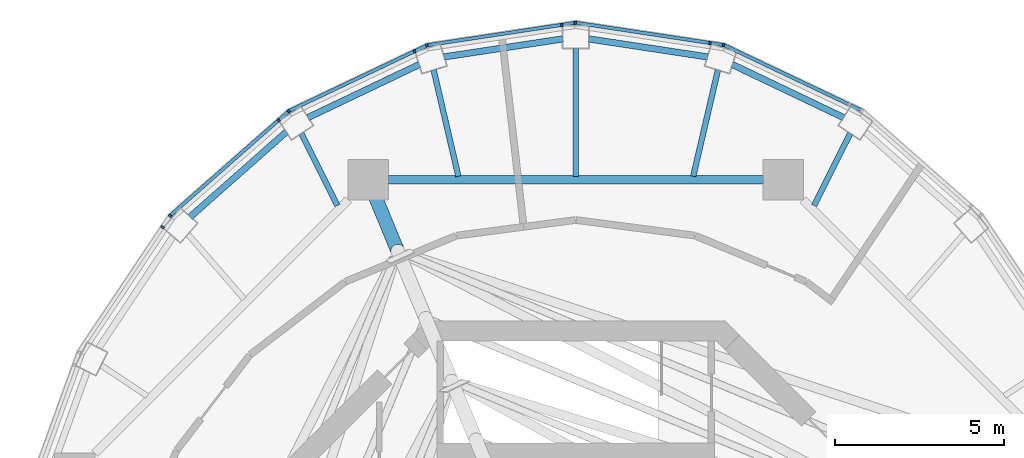
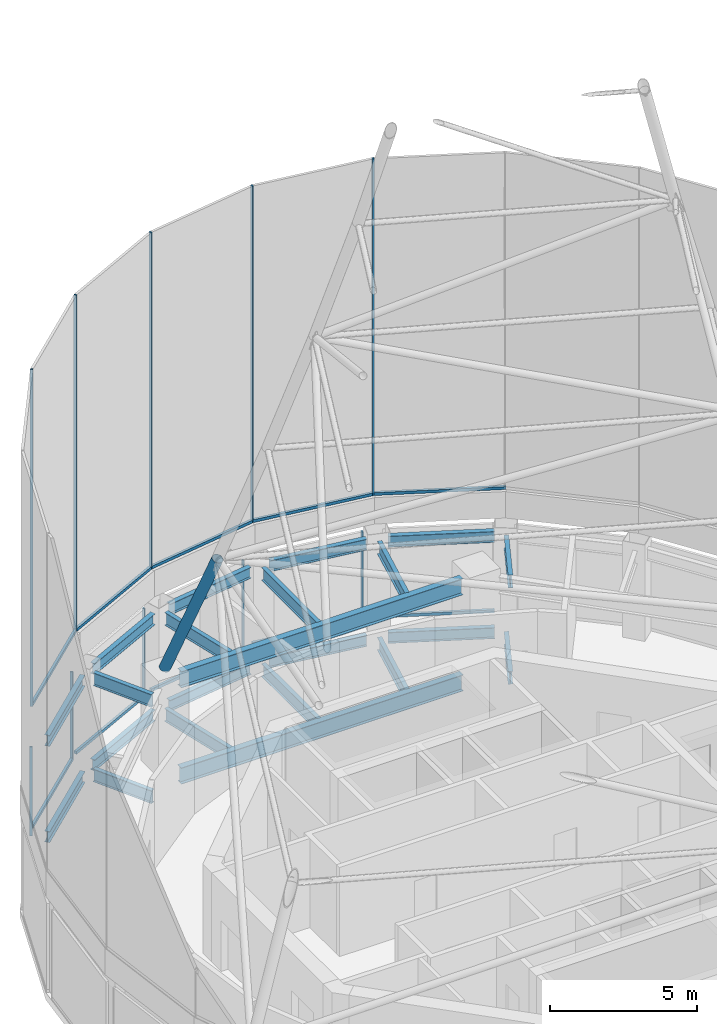
# One storey, part 18 of 25: 22 beams, 21 members, 12 elements without a shape of their own.
"""IFC4 building model written with IfcOpenShell, lengths in metres."""

from ifc_helpers import new_model, si_unit, direction, frame, origin, origin_2d, place, context, subcontext, project, spatial, rectangle, hollow_circle, i_section, extrude, material, layer, layer_set, material_profile, profile_set, type_object, element, aggregate, save


model = new_model("IFC4")

# Units and contexts
model_context = context("Model", 3, precision=1e-05, world=origin(), true_north=direction((0.0, 1.0)))
body_context = subcontext(model_context, "Body", "Model", "MODEL_VIEW")
ifc_project = project(units=[si_unit("LENGTHUNIT", "METRE"), si_unit("AREAUNIT", "SQUARE_METRE"), si_unit("VOLUMEUNIT", "CUBIC_METRE"), si_unit("PLANEANGLEUNIT", "RADIAN"), si_unit("MASSUNIT", "GRAM", prefix="KILO")], contexts=[model_context])

# Site, building, storey
site_placement = place(None, origin())
site = spatial("IfcSite", under=ifc_project, at=site_placement, CompositionType="ELEMENT")
building_placement = place(site_placement, origin())
building = spatial("IfcBuilding", under=site, at=building_placement, Name="Nagisa Residences", CompositionType="ELEMENT")
storey_placement = place(building_placement, frame((0.0, 0.0, 340.89990234375)))
storey = spatial("IfcBuildingStorey", under=building, at=storey_placement, Name="L84", CompositionType="ELEMENT", Elevation=340.89990234375)

# Curtain wall, member
ifc_material_1 = material(Name="Aluminium curtain wall system", Category="aluminium")
ifc_layer = layer(ifc_material_1, 0.159912109375)
ifc_layer_set = layer_set([ifc_layer], Name="CW5 CURTAIN WALL")
curtain_wall_type = type_object("IfcCurtainWallType", Name="CW5 CURTAIN WALL", PredefinedType="NOTDEFINED", material=ifc_layer_set)
curtain_wall_1_placement = place(storey_placement, origin())
curtain_wall_1 = element("IfcCurtainWall", 1, at=curtain_wall_1_placement, inside=storey, type_object=curtain_wall_type, Name="cw:CW5:L84:05", PredefinedType="NOTDEFINED")
ifc_material_2 = material(Name="Aluminium", Category="aluminium")
ifc_material_profile_1 = material_profile(ifc_material_2, rectangle(XDim=0.10009765625, YDim=0.06005859375, at=origin_2d()), Name="CW5 MULLION 100x60")
ifc_profile_set_1 = profile_set([ifc_material_profile_1], Name="Aluminium")
member_type_1 = type_object("IfcMemberType", Name="CW5 MULLION 100x60", PredefinedType="MULLION", material=ifc_profile_set_1)
member_1_placement = place(storey_placement, frame((3.962890625, 18.820556640625, 0.0), z_axis=(0.0, 0.0, 1.0), x_axis=(-0.149320135997, -0.988788904158, 0.0)))
member_1 = element("IfcMember", 2, at=member_1_placement, type_object=member_type_1, Name="CW5 mullion", PredefinedType="MULLION", context=body_context, shape_type="SweptSolid", body=[
    extrude(rectangle(XDim=0.10009765625, YDim=0.06005859375, at=origin_2d()), origin(), (0.0, 0.0, 1.0), 3.7001953125),
])

curtain_wall_2_placement = place(storey_placement, origin())
curtain_wall_2 = element("IfcCurtainWall", 3, at=curtain_wall_2_placement, inside=storey, type_object=curtain_wall_type, Name="cw:CW5:L84:06", PredefinedType="NOTDEFINED")
member_2_placement = place(storey_placement, frame((-0.413330078125, 19.356689453125, 0.0), z_axis=(0.0, 0.0, 1.0), x_axis=(0.149320135997, -0.988788904158, 0.0)))
member_2 = element("IfcMember", 4, at=member_2_placement, type_object=member_type_1, Name="CW5 mullion", PredefinedType="MULLION", context=body_context, shape_type="SweptSolid", body=[
    extrude(rectangle(XDim=0.10009765625, YDim=0.06005859375, at=origin_2d()), origin(), (0.0, 0.0, 1.0), 3.7001953125),
])

curtain_wall_3_placement = place(storey_placement, origin())
curtain_wall_3 = element("IfcCurtainWall", 5, at=curtain_wall_3_placement, inside=storey, type_object=curtain_wall_type, Name="cw:CW5:L84:07", PredefinedType="NOTDEFINED")
member_3_placement = place(storey_placement, frame((-4.75390625, 18.578857421875, 0.0), z_axis=(0.0, 0.0, 1.0), x_axis=(0.429150642757, -0.903232929992, 0.0)))
member_3 = element("IfcMember", 6, at=member_3_placement, type_object=member_type_1, Name="CW5 mullion", PredefinedType="MULLION", context=body_context, shape_type="SweptSolid", body=[
    extrude(rectangle(XDim=0.10009765625, YDim=0.06005859375, at=origin_2d()), origin(), (0.0, 0.0, 1.0), 3.7001953125),
])

curtain_wall_4_placement = place(storey_placement, origin())
curtain_wall_4 = element("IfcCurtainWall", 7, at=curtain_wall_4_placement, inside=storey, type_object=curtain_wall_type, Name="cw:CW5:L84:08", PredefinedType="NOTDEFINED")
member_4_placement = place(storey_placement, frame((-8.77001953125, 16.54345703125, 0.0), z_axis=(0.0, 0.0, 1.0), x_axis=(0.660699467703, -0.750650526795, 0.0)))
member_4 = element("IfcMember", 8, at=member_4_placement, type_object=member_type_1, Name="CW5 mullion", PredefinedType="MULLION", context=body_context, shape_type="SweptSolid", body=[
    extrude(rectangle(XDim=0.10009765625, YDim=0.06005859375, at=origin_2d()), origin(), (0.0, 0.0, 1.0), 3.7001953125),
])

curtain_wall_5_placement = place(storey_placement, origin())
curtain_wall_5 = element("IfcCurtainWall", 9, at=curtain_wall_5_placement, inside=storey, type_object=curtain_wall_type, Name="cw:CW5:L84:09", PredefinedType="NOTDEFINED")
member_5_placement = place(storey_placement, frame((-12.193359375, 13.38671875, 0.0), z_axis=(0.0, 0.0, 1.0), x_axis=(0.831172662415, -0.556014393027, 0.0)))
member_5 = element("IfcMember", 10, at=member_5_placement, type_object=member_type_1, Name="CW5 mullion", PredefinedType="MULLION", context=body_context, shape_type="SweptSolid", body=[
    extrude(rectangle(XDim=0.10009765625, YDim=0.06005859375, at=origin_2d()), origin(), (0.0, 0.0, 1.0), 3.7001953125),
])
aggregate(curtain_wall_5, [member_5])

curtain_wall_6_placement = place(storey_placement, origin())
curtain_wall_6 = element("IfcCurtainWall", 11, at=curtain_wall_6_placement, inside=storey, type_object=curtain_wall_type, Name="cw:CW5:L84:top0:05", PredefinedType="NOTDEFINED")
member_6_placement = place(storey_placement, frame((4.3583984375, 18.760986328125, 5.10009765625), z_axis=(0.0, 0.0, 1.0), x_axis=(-0.149320135997, -0.988788904158, 0.0)))
member_6 = element("IfcMember", 12, at=member_6_placement, type_object=member_type_1, Name="CW5 mullion", PredefinedType="MULLION", context=body_context, shape_type="SweptSolid", body=[
    extrude(rectangle(XDim=0.10009765625, YDim=0.06005859375, at=origin_2d()), origin(), (0.0, 0.0, 1.0), 14.0),
])

curtain_wall_7_placement = place(storey_placement, origin())
curtain_wall_7 = element("IfcCurtainWall", 13, at=curtain_wall_7_placement, inside=storey, type_object=curtain_wall_type, Name="cw:CW5:L84:top0:06", PredefinedType="NOTDEFINED")
member_7_placement = place(storey_placement, frame((-0.017822265625, 19.41650390625, 5.10009765625), z_axis=(0.0, 0.0, 1.0), x_axis=(0.149320135997, -0.988788904158, 0.0)))
member_7 = element("IfcMember", 14, at=member_7_placement, type_object=member_type_1, Name="CW5 mullion", PredefinedType="MULLION", context=body_context, shape_type="SweptSolid", body=[
    extrude(rectangle(XDim=0.10009765625, YDim=0.06005859375, at=origin_2d()), origin(), (0.0, 0.0, 1.0), 14.0),
])

curtain_wall_8_placement = place(storey_placement, origin())
curtain_wall_8 = element("IfcCurtainWall", 15, at=curtain_wall_8_placement, inside=storey, type_object=curtain_wall_type, Name="cw:CW5:L84:top0:07", PredefinedType="NOTDEFINED")
member_8_placement = place(storey_placement, frame((-4.392578125, 18.75048828125, 5.10009765625), z_axis=(0.0, 0.0, 1.0), x_axis=(0.429150642757, -0.903232929992, 0.0)))
member_8 = element("IfcMember", 16, at=member_8_placement, type_object=member_type_1, Name="CW5 mullion", PredefinedType="MULLION", context=body_context, shape_type="SweptSolid", body=[
    extrude(rectangle(XDim=0.10009765625, YDim=0.06005859375, at=origin_2d()), origin(), (0.0, 0.0, 1.0), 14.0),
])

curtain_wall_9_placement = place(storey_placement, origin())
curtain_wall_9 = element("IfcCurtainWall", 17, at=curtain_wall_9_placement, inside=storey, type_object=curtain_wall_type, Name="cw:CW5:L84:top0:08", PredefinedType="NOTDEFINED")
member_9_placement = place(storey_placement, frame((-8.4697265625, 16.8076171875, 5.10009765625), z_axis=(0.0, 0.0, 1.0), x_axis=(0.660699467703, -0.750650526795, 0.0)))
member_9 = element("IfcMember", 18, at=member_9_placement, type_object=member_type_1, Name="CW5 mullion", PredefinedType="MULLION", context=body_context, shape_type="SweptSolid", body=[
    extrude(rectangle(XDim=0.10009765625, YDim=0.06005859375, at=origin_2d()), origin(), (0.0, 0.0, 1.0), 14.0),
])

curtain_wall_10_placement = place(storey_placement, origin())
curtain_wall_10 = element("IfcCurtainWall", 19, at=curtain_wall_10_placement, inside=storey, type_object=curtain_wall_type, Name="cw:CW5:L84:top0:09", PredefinedType="NOTDEFINED")
member_10_placement = place(storey_placement, frame((-11.970947265625, 13.71923828125, 5.10009765625), z_axis=(0.0, 0.0, 1.0), x_axis=(0.831172662415, -0.556014393027, 0.0)))
member_10 = element("IfcMember", 20, at=member_10_placement, type_object=member_type_1, Name="CW5 mullion", PredefinedType="MULLION", context=body_context, shape_type="SweptSolid", body=[
    extrude(rectangle(XDim=0.10009765625, YDim=0.06005859375, at=origin_2d()), origin(), (0.0, 0.0, 1.0), 14.0),
])
aggregate(curtain_wall_10, [member_10])

curtain_wall_11_placement = place(storey_placement, origin())
curtain_wall_11 = element("IfcCurtainWall", 21, at=curtain_wall_11_placement, inside=storey, type_object=curtain_wall_type, Name="cw:CW5:L84:04", PredefinedType="NOTDEFINED")
ifc_material_3 = material(Name="Aluminium", Category="aluminium")
ifc_material_profile_2 = material_profile(ifc_material_3, rectangle(XDim=0.10009765625, YDim=0.1201171875, at=origin_2d()), Name="CW5 TRANSOM 100x120")
ifc_profile_set_2 = profile_set([ifc_material_profile_2], Name="Aluminium")
member_type_2 = type_object("IfcMemberType", Name="CW5 TRANSOM 100x120", PredefinedType="USERDEFINED", material=ifc_profile_set_2)
member_11_placement = place(storey_placement, frame((8.1044921875, 16.98681640625, 0.06005859375), z_axis=(-0.903246073132, 0.429122979309, 0.0), x_axis=(-0.429122979309, -0.903246073132, 0.0)))
member_11 = element("IfcMember", 22, at=member_11_placement, type_object=member_type_2, Name="CW5 transom", ObjectType="TRANSOM", PredefinedType="USERDEFINED", context=body_context, shape_type="SweptSolid", body=[
    extrude(rectangle(XDim=0.10009765625, YDim=0.1201171875, at=origin_2d()), origin(), (0.0, 0.0, 1.0), 4.1396484375),
])
aggregate(curtain_wall_11, [member_11])

# Member
member_12_placement = place(storey_placement, frame((3.992431640625, 18.816162109375, 0.06005859375), z_axis=(-0.988788172803, 0.149324978907, 0.0), x_axis=(-0.149324978907, -0.988788172803, 0.0)))
member_12 = element("IfcMember", 23, at=member_12_placement, type_object=member_type_2, Name="CW5 transom", ObjectType="TRANSOM", PredefinedType="USERDEFINED", context=body_context, shape_type="SweptSolid", body=[
    extrude(rectangle(XDim=0.10009765625, YDim=0.1201171875, at=origin_2d()), origin(), (0.0, 0.0, 1.0), 4.0498046875),
])

aggregate(curtain_wall_1, [member_1, member_12])

member_13_placement = place(storey_placement, frame((-0.383544921875, 19.361083984375, 0.06005859375), z_axis=(-0.988788172803, -0.149324978907, 0.0), x_axis=(0.149324978907, -0.988788172803, 0.0)))
member_13 = element("IfcMember", 24, at=member_13_placement, type_object=member_type_2, Name="CW5 transom", ObjectType="TRANSOM", PredefinedType="USERDEFINED", context=body_context, shape_type="SweptSolid", body=[
    extrude(rectangle(XDim=0.10009765625, YDim=0.1201171875, at=origin_2d()), origin(), (0.0, 0.0, 1.0), 4.0498046875),
])

aggregate(curtain_wall_2, [member_2, member_13])

member_14_placement = place(storey_placement, frame((-4.726806640625, 18.591552734375, 0.06005859375), z_axis=(-0.903235211694, -0.429145840426, 0.0), x_axis=(0.429145840426, -0.903235211694, 0.0)))
member_14 = element("IfcMember", 25, at=member_14_placement, type_object=member_type_2, Name="CW5 transom", ObjectType="TRANSOM", PredefinedType="USERDEFINED", context=body_context, shape_type="SweptSolid", body=[
    extrude(rectangle(XDim=0.10009765625, YDim=0.1201171875, at=origin_2d()), origin(), (0.0, 0.0, 1.0), 4.139404296875),
])

aggregate(curtain_wall_3, [member_3, member_14])

member_15_placement = place(storey_placement, frame((-8.747314453125, 16.563232421875, 0.06005859375), z_axis=(-0.750655944686, -0.66069331214, 0.0), x_axis=(0.66069331214, -0.750655944686, 0.0)))
member_15 = element("IfcMember", 26, at=member_15_placement, type_object=member_type_2, Name="CW5 transom", ObjectType="TRANSOM", PredefinedType="USERDEFINED", context=body_context, shape_type="SweptSolid", body=[
    extrude(rectangle(XDim=0.10009765625, YDim=0.1201171875, at=origin_2d()), origin(), (0.0, 0.0, 1.0), 4.29052734375),
])

aggregate(curtain_wall_4, [member_4, member_15])

# Curtain wall, member
curtain_wall_12_placement = place(storey_placement, origin())
curtain_wall_12 = element("IfcCurtainWall", 27, at=curtain_wall_12_placement, inside=storey, type_object=curtain_wall_type, Name="cw:CW5:L84:top0:04", PredefinedType="NOTDEFINED")
member_16_placement = place(storey_placement, frame((8.465576171875, 16.815185546875, 5.16015625), z_axis=(-0.903238939001, 0.429137995373, 0.0), x_axis=(-0.429137995373, -0.903238939001, 0.0)))
member_16 = element("IfcMember", 28, at=member_16_placement, type_object=member_type_2, Name="CW5 transom", ObjectType="TRANSOM", PredefinedType="USERDEFINED", context=body_context, shape_type="SweptSolid", body=[
    extrude(rectangle(XDim=0.10009765625, YDim=0.1201171875, at=origin_2d()), origin(), (0.0, 0.0, 1.0), 4.539306640625),
])
aggregate(curtain_wall_12, [member_16])

# Member
member_17_placement = place(storey_placement, frame((4.387939453125, 18.75634765625, 5.16015625), z_axis=(-0.988785332706, 0.149343784021, 0.0), x_axis=(-0.149343784021, -0.988785332706, 0.0)))
member_17 = element("IfcMember", 29, at=member_17_placement, type_object=member_type_2, Name="CW5 transom", ObjectType="TRANSOM", PredefinedType="USERDEFINED", context=body_context, shape_type="SweptSolid", body=[
    extrude(rectangle(XDim=0.10009765625, YDim=0.1201171875, at=origin_2d()), origin(), (0.0, 0.0, 1.0), 4.44970703125),
])

aggregate(curtain_wall_6, [member_6, member_17])

member_18_placement = place(storey_placement, frame((0.011962890625, 19.4208984375, 5.16015625), z_axis=(-0.988785332706, -0.149343784021, 0.0), x_axis=(0.149343784021, -0.988785332706, 0.0)))
member_18 = element("IfcMember", 30, at=member_18_placement, type_object=member_type_2, Name="CW5 transom", ObjectType="TRANSOM", PredefinedType="USERDEFINED", context=body_context, shape_type="SweptSolid", body=[
    extrude(rectangle(XDim=0.10009765625, YDim=0.1201171875, at=origin_2d()), origin(), (0.0, 0.0, 1.0), 4.44970703125),
])

aggregate(curtain_wall_7, [member_7, member_18])

member_19_placement = place(storey_placement, frame((-4.365478515625, 18.76318359375, 5.16015625), z_axis=(-0.903238939001, -0.429137995373, 0.0), x_axis=(0.429137995373, -0.903238939001, 0.0)))
member_19 = element("IfcMember", 31, at=member_19_placement, type_object=member_type_2, Name="CW5 transom", ObjectType="TRANSOM", PredefinedType="USERDEFINED", context=body_context, shape_type="SweptSolid", body=[
    extrude(rectangle(XDim=0.10009765625, YDim=0.1201171875, at=origin_2d()), origin(), (0.0, 0.0, 1.0), 4.539306640625),
])

aggregate(curtain_wall_8, [member_8, member_19])

member_20_placement = place(storey_placement, frame((-8.447265625, 16.827392578125, 5.16015625), z_axis=(-0.750648459448, -0.660701816502, 0.0), x_axis=(0.660701816502, -0.750648459448, 0.0)))
member_20 = element("IfcMember", 32, at=member_20_placement, type_object=member_type_2, Name="CW5 transom", ObjectType="TRANSOM", PredefinedType="USERDEFINED", context=body_context, shape_type="SweptSolid", body=[
    extrude(rectangle(XDim=0.10009765625, YDim=0.1201171875, at=origin_2d()), origin(), (0.0, 0.0, 1.0), 4.690185546875),
])

aggregate(curtain_wall_9, [member_9, member_20])

# Beams
ifc_material_4 = material(Name="Steel ASTM A572 Gr 50", Category="steel")
ifc_material_profile_3 = material_profile(ifc_material_4, i_section(OverallWidth=0.2529296875, OverallDepth=0.677978515625, WebThickness=0.01171875, FlangeThickness=0.016357421875, at=origin_2d()), Name="W690x125")
ifc_profile_set_3 = profile_set([ifc_material_profile_3], Name="Steel ASTM A572 Gr 50")
beam_type_1 = type_object("IfcBeamType", Name="Inner ring beam W690x125", PredefinedType="BEAM", material=ifc_profile_set_3)
for number, where, z_axis, x_axis, name in (
    (33, (5.54296875, 14.781982421875, -0.638916015625), (-1.0, 0.0, 0.0), (0.0, -1.0, 0.0), "beam:L84:ib2"),
    (34, (5.54296875, 14.781982421875, 3.361083984375), (-1.0, 0.0, 0.0), (0.0, -1.0, 0.0), "beam:L84:rib2"),
):
    element("IfcBeam", number, at=place(storey_placement, frame(where, z_axis=z_axis, x_axis=x_axis)), inside=storey, type_object=beam_type_1, Name=name, PredefinedType="BEAM", context=body_context, shape_type="SweptSolid", body=[
        extrude(i_section(OverallWidth=0.2529296875, OverallDepth=0.677978515625, WebThickness=0.01171875, FlangeThickness=0.016357421875, at=origin_2d()), origin(), (0.0, 0.0, 1.0), 11.0859375),
    ])

# Member
ifc_material_5 = material(Name="Steel ASTM A572 Gr 50", Category="steel")
ifc_material_profile_4 = material_profile(ifc_material_5, hollow_circle(Radius=0.203125, WallThickness=0.01611328125, at=origin_2d()), Name="MAST LEG CHS 406.4x16")
ifc_profile_set_4 = profile_set([ifc_material_profile_4], Name="Steel ASTM A572 Gr 50")
member_type_3 = type_object("IfcMemberType", Name="MAST LEG CHS 406.4x16", PredefinedType="CHORD", material=ifc_profile_set_4)
member_21_placement = place(storey_placement, frame((-6.123046875, 14.781982421875, 4.0), z_axis=(0.145748429527, -0.351832029823, 0.924646753134), x_axis=(0.923865762933, 0.382716673376, 0.0)))
element("IfcMember", 35, at=member_21_placement, inside=storey, type_object=member_type_3, Name="Mast leg 2 segment 1", PredefinedType="CHORD", context=body_context, shape_type="SweptSolid", body=[
    extrude(hollow_circle(Radius=0.203125, WallThickness=0.01611328125, at=origin_2d()), origin(), (0.0, 0.0, 1.0), 5.9482421875),
])

# Beams
ifc_material_6 = material(Name="Steel ASTM A572 Gr 50", Category="steel")
ifc_material_profile_5 = material_profile(ifc_material_6, i_section(OverallWidth=0.18994140625, OverallDepth=0.45703125, WebThickness=0.009033203125, FlangeThickness=0.014404296875, at=origin_2d()), Name="W460x74")
ifc_profile_set_5 = profile_set([ifc_material_profile_5], Name="Steel ASTM A572 Gr 50")
beam_type_2 = type_object("IfcBeamType", Name="Perimeter ring beam W460x74", PredefinedType="BEAM", material=ifc_profile_set_5)
beam_1_placement = place(storey_placement, frame((7.903564453125, 16.619873046875, -0.5283203125), z_axis=(-0.902613702305, 0.430451512266, 0.0), x_axis=(-0.430451512266, -0.902613702305, 0.0)))
element("IfcBeam", 36, at=beam_1_placement, inside=storey, type_object=beam_type_2, Name="beam:L84:pb05", PredefinedType="BEAM", context=body_context, shape_type="SweptSolid", body=[
    extrude(i_section(OverallWidth=0.18994140625, OverallDepth=0.45703125, WebThickness=0.009033203125, FlangeThickness=0.014404296875, at=origin_2d()), origin(), (0.0, 0.0, 1.0), 3.640625),
])
for number, where, z_axis, x_axis, name in (
    (37, (3.890380859375, 18.41015625, -0.5283203125), (-0.988700067025, 0.149907229525, 0.0), (-0.149907229525, -0.988700067025, 0.0), "beam:L84:pb06"),
    (38, (-0.380126953125, 18.9423828125, -0.5283203125), (-0.988700067025, -0.149907229525, 0.0), (0.149907229525, -0.988700067025, 0.0), "beam:L84:pb07"),
):
    element("IfcBeam", number, at=place(storey_placement, frame(where, z_axis=z_axis, x_axis=x_axis)), inside=storey, type_object=beam_type_2, Name=name, PredefinedType="BEAM", context=body_context, shape_type="SweptSolid", body=[
        extrude(i_section(OverallWidth=0.18994140625, OverallDepth=0.45703125, WebThickness=0.009033203125, FlangeThickness=0.014404296875, at=origin_2d()), origin(), (0.0, 0.0, 1.0), 3.55029296875),
    ])
beam_2_placement = place(storey_placement, frame((-4.617431640625, 18.18701171875, -0.5283203125), z_axis=(-0.902613702305, -0.430451512266, 0.0), x_axis=(0.430451512266, -0.902613702305, 0.0)))
element("IfcBeam", 39, at=beam_2_placement, inside=storey, type_object=beam_type_2, Name="beam:L84:pb08", PredefinedType="BEAM", context=body_context, shape_type="SweptSolid", body=[
    extrude(i_section(OverallWidth=0.18994140625, OverallDepth=0.45703125, WebThickness=0.009033203125, FlangeThickness=0.014404296875, at=origin_2d()), origin(), (0.0, 0.0, 1.0), 3.640625),
])
beam_3_placement = place(storey_placement, frame((-8.53759765625, 16.2001953125, -0.5283203125), z_axis=(-0.749401876552, -0.662115418503, 0.0), x_axis=(0.662115418503, -0.749401876552, 0.0)))
element("IfcBeam", 40, at=beam_3_placement, inside=storey, type_object=beam_type_2, Name="beam:L84:pb09", PredefinedType="BEAM", context=body_context, shape_type="SweptSolid", body=[
    extrude(i_section(OverallWidth=0.18994140625, OverallDepth=0.45703125, WebThickness=0.009033203125, FlangeThickness=0.014404296875, at=origin_2d()), origin(), (0.0, 0.0, 1.0), 3.792724609375),
])
beam_4_placement = place(storey_placement, frame((7.903564453125, 16.619873046875, 3.4716796875), z_axis=(-0.902613702305, 0.430451512266, 0.0), x_axis=(-0.430451512266, -0.902613702305, 0.0)))
element("IfcBeam", 41, at=beam_4_placement, inside=storey, type_object=beam_type_2, Name="beam:L84:rpb05", PredefinedType="BEAM", context=body_context, shape_type="SweptSolid", body=[
    extrude(i_section(OverallWidth=0.18994140625, OverallDepth=0.45703125, WebThickness=0.009033203125, FlangeThickness=0.014404296875, at=origin_2d()), origin(), (0.0, 0.0, 1.0), 3.640625),
])
for number, where, z_axis, x_axis, name in (
    (42, (3.890380859375, 18.41015625, 3.4716796875), (-0.988700067025, 0.149907229525, 0.0), (-0.149907229525, -0.988700067025, 0.0), "beam:L84:rpb06"),
    (43, (-0.380126953125, 18.9423828125, 3.4716796875), (-0.988700067025, -0.149907229525, 0.0), (0.149907229525, -0.988700067025, 0.0), "beam:L84:rpb07"),
):
    element("IfcBeam", number, at=place(storey_placement, frame(where, z_axis=z_axis, x_axis=x_axis)), inside=storey, type_object=beam_type_2, Name=name, PredefinedType="BEAM", context=body_context, shape_type="SweptSolid", body=[
        extrude(i_section(OverallWidth=0.18994140625, OverallDepth=0.45703125, WebThickness=0.009033203125, FlangeThickness=0.014404296875, at=origin_2d()), origin(), (0.0, 0.0, 1.0), 3.55029296875),
    ])
beam_5_placement = place(storey_placement, frame((-4.617431640625, 18.18701171875, 3.4716796875), z_axis=(-0.902613702305, -0.430451512266, 0.0), x_axis=(0.430451512266, -0.902613702305, 0.0)))
element("IfcBeam", 44, at=beam_5_placement, inside=storey, type_object=beam_type_2, Name="beam:L84:rpb08", PredefinedType="BEAM", context=body_context, shape_type="SweptSolid", body=[
    extrude(i_section(OverallWidth=0.18994140625, OverallDepth=0.45703125, WebThickness=0.009033203125, FlangeThickness=0.014404296875, at=origin_2d()), origin(), (0.0, 0.0, 1.0), 3.640625),
])
beam_6_placement = place(storey_placement, frame((-8.53759765625, 16.2001953125, 3.4716796875), z_axis=(-0.749401876552, -0.662115418503, 0.0), x_axis=(0.662115418503, -0.749401876552, 0.0)))
element("IfcBeam", 45, at=beam_6_placement, inside=storey, type_object=beam_type_2, Name="beam:L84:rpb09", PredefinedType="BEAM", context=body_context, shape_type="SweptSolid", body=[
    extrude(i_section(OverallWidth=0.18994140625, OverallDepth=0.45703125, WebThickness=0.009033203125, FlangeThickness=0.014404296875, at=origin_2d()), origin(), (0.0, 0.0, 1.0), 3.792724609375),
])
ifc_material_7 = material(Name="Steel ASTM A572 Gr 50", Category="steel")
ifc_material_profile_6 = material_profile(ifc_material_7, i_section(OverallWidth=0.166015625, OverallDepth=0.534912109375, WebThickness=0.01025390625, FlangeThickness=0.0166015625, at=origin_2d()), Name="W530x85")
ifc_profile_set_6 = profile_set([ifc_material_profile_6], Name="Steel ASTM A572 Gr 50")
beam_type_3 = type_object("IfcBeamType", Name="Radial beam W530x85", PredefinedType="BEAM", material=ifc_profile_set_6)
beam_7_placement = place(storey_placement, frame((8.10107421875, 16.1572265625, -0.5673828125), z_axis=(-0.448236908276, -0.893914802461, 0.0), x_axis=(0.893914802461, -0.448236908276, 0.0)))
element("IfcBeam", 46, at=beam_7_placement, inside=storey, type_object=beam_type_3, Name="beam:L84:rb05", PredefinedType="BEAM", context=body_context, shape_type="SweptSolid", body=[
    extrude(i_section(OverallWidth=0.166015625, OverallDepth=0.534912109375, WebThickness=0.01025390625, FlangeThickness=0.0166015625, at=origin_2d()), origin(), (0.0, 0.0, 1.0), 2.385009765625),
])
beam_8_placement = place(storey_placement, frame((4.195556640625, 18.0302734375, -0.5673828125), z_axis=(-0.226650446588, -0.973976167604, 0.0), x_axis=(0.973976167604, -0.226650446588, 0.0)))
element("IfcBeam", 47, at=beam_8_placement, inside=storey, type_object=beam_type_3, Name="beam:L84:rb06", PredefinedType="BEAM", context=body_context, shape_type="SweptSolid", body=[
    extrude(i_section(OverallWidth=0.166015625, OverallDepth=0.534912109375, WebThickness=0.01025390625, FlangeThickness=0.0166015625, at=origin_2d()), origin(), (0.0, 0.0, 1.0), 3.22509765625),
])
beam_9_placement = place(storey_placement, frame((0.0, 18.669921875, -0.5673828125), z_axis=(0.0, -1.0, 0.0), x_axis=(1.0, 0.0, 0.0)))
element("IfcBeam", 48, at=beam_9_placement, inside=storey, type_object=beam_type_3, Name="beam:L84:rb07", PredefinedType="BEAM", context=body_context, shape_type="SweptSolid", body=[
    extrude(i_section(OverallWidth=0.166015625, OverallDepth=0.534912109375, WebThickness=0.01025390625, FlangeThickness=0.0166015625, at=origin_2d()), origin(), (0.0, 0.0, 1.0), 3.78125),
])
beam_10_placement = place(storey_placement, frame((-4.195556640625, 18.0302734375, -0.5673828125), z_axis=(0.226650446588, -0.973976167604, 0.0), x_axis=(0.973976167604, 0.226650446588, 0.0)))
element("IfcBeam", 49, at=beam_10_placement, inside=storey, type_object=beam_type_3, Name="beam:L84:rb08", PredefinedType="BEAM", context=body_context, shape_type="SweptSolid", body=[
    extrude(i_section(OverallWidth=0.166015625, OverallDepth=0.534912109375, WebThickness=0.01025390625, FlangeThickness=0.0166015625, at=origin_2d()), origin(), (0.0, 0.0, 1.0), 3.22509765625),
])
for number, where, z_axis, x_axis, name in (
    (50, (-8.10107421875, 16.1572265625, -0.5673828125), (0.448236908276, -0.893914802461, 0.0), (0.893914802461, 0.448236908276, 0.0), "beam:L84:rb09"),
    (51, (8.10107421875, 16.1572265625, 3.4326171875), (-0.448236908276, -0.893914802461, 0.0), (0.893914802461, -0.448236908276, 0.0), "beam:L84:rrb05"),
):
    element("IfcBeam", number, at=place(storey_placement, frame(where, z_axis=z_axis, x_axis=x_axis)), inside=storey, type_object=beam_type_3, Name=name, PredefinedType="BEAM", context=body_context, shape_type="SweptSolid", body=[
        extrude(i_section(OverallWidth=0.166015625, OverallDepth=0.534912109375, WebThickness=0.01025390625, FlangeThickness=0.0166015625, at=origin_2d()), origin(), (0.0, 0.0, 1.0), 2.385009765625),
    ])
beam_11_placement = place(storey_placement, frame((4.195556640625, 18.0302734375, 3.4326171875), z_axis=(-0.226650446588, -0.973976167604, 0.0), x_axis=(0.973976167604, -0.226650446588, 0.0)))
element("IfcBeam", 52, at=beam_11_placement, inside=storey, type_object=beam_type_3, Name="beam:L84:rrb06", PredefinedType="BEAM", context=body_context, shape_type="SweptSolid", body=[
    extrude(i_section(OverallWidth=0.166015625, OverallDepth=0.534912109375, WebThickness=0.01025390625, FlangeThickness=0.0166015625, at=origin_2d()), origin(), (0.0, 0.0, 1.0), 3.22509765625),
])
beam_12_placement = place(storey_placement, frame((0.0, 18.669921875, 3.4326171875), z_axis=(0.0, -1.0, 0.0), x_axis=(1.0, 0.0, 0.0)))
element("IfcBeam", 53, at=beam_12_placement, inside=storey, type_object=beam_type_3, Name="beam:L84:rrb07", PredefinedType="BEAM", context=body_context, shape_type="SweptSolid", body=[
    extrude(i_section(OverallWidth=0.166015625, OverallDepth=0.534912109375, WebThickness=0.01025390625, FlangeThickness=0.0166015625, at=origin_2d()), origin(), (0.0, 0.0, 1.0), 3.78125),
])
beam_13_placement = place(storey_placement, frame((-4.195556640625, 18.0302734375, 3.4326171875), z_axis=(0.226650446588, -0.973976167604, 0.0), x_axis=(0.973976167604, 0.226650446588, 0.0)))
element("IfcBeam", 54, at=beam_13_placement, inside=storey, type_object=beam_type_3, Name="beam:L84:rrb08", PredefinedType="BEAM", context=body_context, shape_type="SweptSolid", body=[
    extrude(i_section(OverallWidth=0.166015625, OverallDepth=0.534912109375, WebThickness=0.01025390625, FlangeThickness=0.0166015625, at=origin_2d()), origin(), (0.0, 0.0, 1.0), 3.22509765625),
])
beam_14_placement = place(storey_placement, frame((-8.10107421875, 16.1572265625, 3.4326171875), z_axis=(0.448236908276, -0.893914802461, 0.0), x_axis=(0.893914802461, 0.448236908276, 0.0)))
element("IfcBeam", 55, at=beam_14_placement, inside=storey, type_object=beam_type_3, Name="beam:L84:rrb09", PredefinedType="BEAM", context=body_context, shape_type="SweptSolid", body=[
    extrude(i_section(OverallWidth=0.166015625, OverallDepth=0.534912109375, WebThickness=0.01025390625, FlangeThickness=0.0166015625, at=origin_2d()), origin(), (0.0, 0.0, 1.0), 2.385009765625),
])

save(model, "model.ifc")
